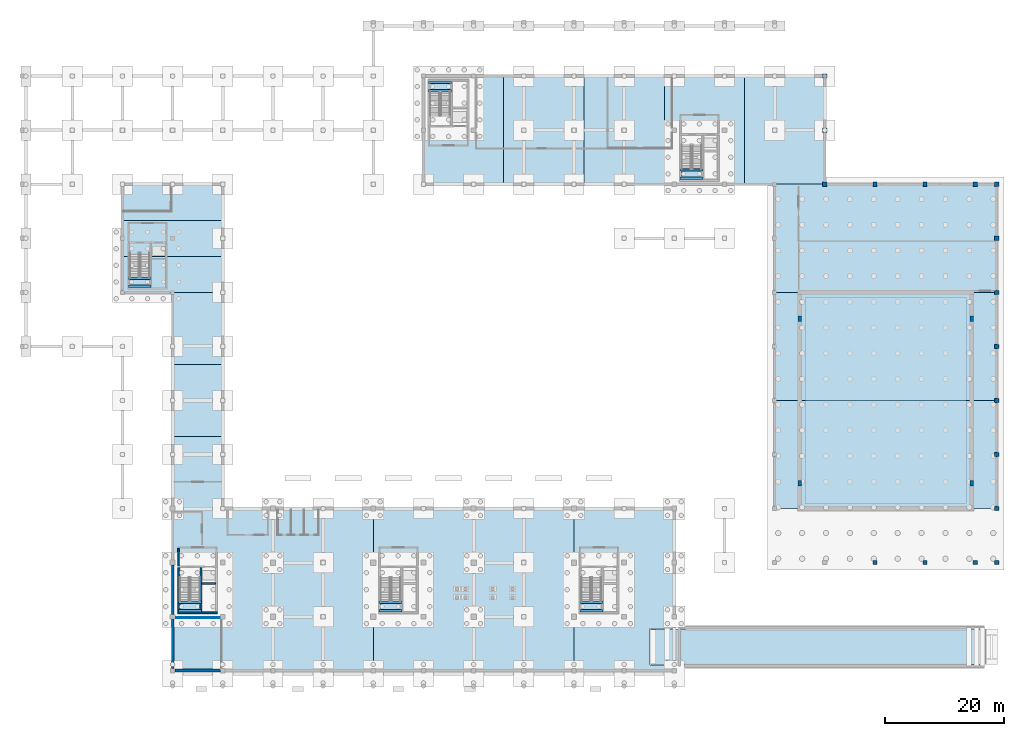
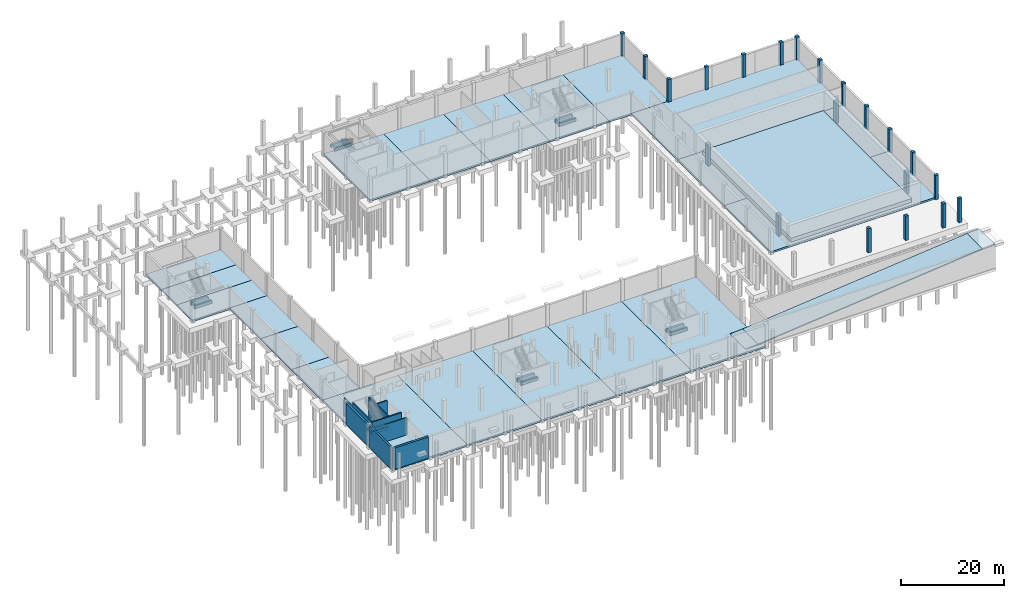
# One storey, part 6 of 18: 29 slabs, 21 columns, 12 beams, 9 walls, 6 elements without a shape of their own.
"""IFC4 building model written with IfcOpenShell, lengths in metres."""

import ifcopenshell
import ifcopenshell.guid

model = None  # the IFC model being written
_history = None  # IfcOwnerHistory: only IFC2X3 demands one
_inside = {}  # id of a spatial element -> (the spatial element, [elements in it])
_under = {}  # id of a project, library or spatial element -> (it, [spatial elements below it])
_declared = {}  # id of a project -> (the project, [libraries it declares])
_typed = {}  # id of a type object -> (the type object, [elements of that type])
_made_of = {}  # id of a material, layer set ... -> (it, [elements and type objects made of it])


def new_model(schema):
    """Start an empty IFC model of exactly this schema.

    Asked for "IFC4X3", IfcOpenShell would pick the latest addendum, in which some entities
    have other attributes; the version numbers below select the first issue.
    IFC2X3 requires an IfcOwnerHistory on every rooted entity: one is made here for all.
    """
    global model, _history
    if schema == "IFC4X3":
        model = ifcopenshell.file(schema_version=(4, 3, 0, 0))
    else:
        model = ifcopenshell.file(schema=schema)
    _inside.clear()
    _under.clear()
    _declared.clear()
    _typed.clear()
    _made_of.clear()
    _history = None
    if model.schema == "IFC2X3":
        org = make("IfcOrganization", Name="unknown")
        user = make(
            "IfcPersonAndOrganization",
            ThePerson=make("IfcPerson", FamilyName="unknown"),
            TheOrganization=org,
        )
        app = make(
            "IfcApplication",
            ApplicationDeveloper=org,
            Version="unknown",
            ApplicationFullName="unknown",
            ApplicationIdentifier="unknown",
        )
        _history = make(
            "IfcOwnerHistory",
            OwningUser=user,
            OwningApplication=app,
            ChangeAction="ADDED",
            CreationDate=0,
        )
    return model


def make(cls, **values):
    """One entity of the class cls with the attributes given. An attribute that is None is left unset."""
    return model.create_entity(
        cls, **{name: value for name, value in values.items() if value is not None}
    )


def rooted(cls, **values):
    """An entity with a GlobalId (a new one), such as an element, a storey or a relation."""
    return make(cls, GlobalId=ifcopenshell.guid.new(), OwnerHistory=_history, **values)


def si_unit(unit_type, name, prefix=None):
    """IfcSIUnit, for example si_unit("LENGTHUNIT", "METRE", prefix="MILLI")."""
    return make("IfcSIUnit", UnitType=unit_type, Prefix=prefix, Name=name)


def assignment(units):
    """IfcUnitAssignment: the units of a project."""
    return None if units is None else make("IfcUnitAssignment", Units=units)


def point(xyz):
    """IfcCartesianPoint."""
    return None if xyz is None else make("IfcCartesianPoint", Coordinates=xyz)


def direction(xyz):
    """IfcDirection."""
    return None if xyz is None else make("IfcDirection", DirectionRatios=xyz)


def frame(location, z_axis=None, x_axis=None):
    """IfcAxis2Placement3D, a coordinate frame: its origin and axes. An axis left out is left unset."""
    return make(
        "IfcAxis2Placement3D",
        Location=point(location),
        Axis=direction(z_axis),
        RefDirection=direction(x_axis),
    )


def frame_2d(location, x_axis=None):
    """IfcAxis2Placement2D, a coordinate frame in the plane: its origin and x axis."""
    return make(
        "IfcAxis2Placement2D", Location=point(location), RefDirection=direction(x_axis)
    )


def origin():
    """The frame at (0, 0, 0) with its axes left unset."""
    return frame((0.0, 0.0, 0.0))


def origin_2d():
    """The frame at (0, 0) in the plane with its x axis left unset."""
    return frame_2d((0.0, 0.0))


def place(relative_to, where):
    """IfcLocalPlacement: puts the frame where relative to a parent placement (None: the world)."""
    return make(
        "IfcLocalPlacement", PlacementRelTo=relative_to, RelativePlacement=where
    )


def context(
    kind, dimensions, precision=None, world=None, true_north=None, identifier=None
):
    """IfcGeometricRepresentationContext, for example the 3D "Model" context."""
    return make(
        "IfcGeometricRepresentationContext",
        ContextIdentifier=identifier,
        ContextType=kind,
        CoordinateSpaceDimension=dimensions,
        Precision=precision,
        WorldCoordinateSystem=world,
        TrueNorth=true_north,
    )


def subcontext(parent, identifier, kind, view, scale=None):
    """IfcGeometricRepresentationSubContext, for example "Body" below "Model"."""
    return make(
        "IfcGeometricRepresentationSubContext",
        ContextIdentifier=identifier,
        ContextType=kind,
        ParentContext=parent,
        TargetScale=scale,
        TargetView=view,
    )


def project(units=None, contexts=None):
    """IfcProject with its units and contexts."""
    return rooted(
        "IfcProject",
        Name="project",
        RepresentationContexts=contexts,
        UnitsInContext=assignment(units),
    )


def spatial(cls, under=None, at=None, **own):
    """A site, building, storey or space (cls), placed at a placement, below another one or the project."""
    s = rooted(cls, ObjectPlacement=at, **own)
    if under is not None:
        _under.setdefault(under.id(), (under, []))[1].append(s)
    return s


def polyline(points):
    """IfcPolyline through the points."""
    return make("IfcPolyline", Points=[point(p) for p in points])


def profile(cls, at=None, kind="AREA", **sizes):
    """A parametric profile (cls). Its sizes go by their IFC names, for example OverallWidth=200.0."""
    return make(cls, ProfileType=kind, Position=at, **sizes)


def rectangle(**sizes):
    """IfcRectangleProfileDef."""
    return profile("IfcRectangleProfileDef", **sizes)


def outline(outer, holes=None, kind="AREA"):
    """IfcArbitraryClosedProfileDef: a profile drawn as a closed curve; with holes, ...WithVoids."""
    if holes is None:
        return make("IfcArbitraryClosedProfileDef", ProfileType=kind, OuterCurve=outer)
    return make(
        "IfcArbitraryProfileDefWithVoids",
        ProfileType=kind,
        OuterCurve=outer,
        InnerCurves=holes,
    )


def extrude(swept, where, along, depth):
    """IfcExtrudedAreaSolid: the profile swept, set in the frame where, extruded along a direction by depth."""
    return make(
        "IfcExtrudedAreaSolid",
        SweptArea=swept,
        Position=where,
        ExtrudedDirection=direction(along),
        Depth=depth,
    )


def shape(context_of_items, identifier, shape_type, items):
    """IfcShapeRepresentation: the items that make up one representation, for example the "Body"."""
    return make(
        "IfcShapeRepresentation",
        ContextOfItems=context_of_items,
        RepresentationIdentifier=identifier,
        RepresentationType=shape_type,
        Items=items,
    )


def material(Name=None, Category=None):
    """IfcMaterial."""
    return make("IfcMaterial", Name=Name, Category=Category)


def layer(
    of_material, thickness, ventilated=None, Name=None, Category=None, Priority=None
):
    """IfcMaterialLayer: one layer of a wall or slab, of a material (None: an air gap)."""
    return make(
        "IfcMaterialLayer",
        Material=of_material,
        LayerThickness=thickness,
        IsVentilated=ventilated,
        Name=Name,
        Category=Category,
        Priority=Priority,
    )


def layer_set(layers, Name=None):
    """IfcMaterialLayerSet."""
    return make("IfcMaterialLayerSet", MaterialLayers=layers, LayerSetName=Name)


def material_profile(
    of_material, cross_section, Name=None, Category=None, Priority=None
):
    """IfcMaterialProfile: a cross section and its material."""
    return make(
        "IfcMaterialProfile",
        Name=Name,
        Material=of_material,
        Profile=cross_section,
        Priority=Priority,
        Category=Category,
    )


def profile_set(profiles, Name=None, composite=None):
    """IfcMaterialProfileSet."""
    return make(
        "IfcMaterialProfileSet",
        Name=Name,
        MaterialProfiles=profiles,
        CompositeProfile=composite,
    )


def made_of(thing, what):
    """Note that an element or type object is made of a material, layer set ...; save() writes the relation."""
    if what is not None:
        _made_of.setdefault(what.id(), (what, []))[1].append(thing)
    return thing


def type_object(cls, material=None, **own):
    """A type object (cls), such as IfcWallType, which elements share."""
    return made_of(rooted(cls, **own), material)


def element(
    cls,
    number,
    at=None,
    inside=None,
    cuts=None,
    type_object=None,
    material=None,
    context=None,
    identifier="Body",
    shape_type=None,
    held_by="IfcProductDefinitionShape",
    body=None,
    shapes=None,
    **own,
):
    """One element of the class cls, such as IfcWall. Its Tag is "e" and its number.

    at: its placement. inside: the storey or other place that contains it. cuts: it is an
    opening in that element (IfcRelVoidsElement). A single representation is given by context,
    identifier, shape_type and body (its items); several are given by shapes. held_by: the class
    of the entity that holds the representations. save() writes the other relations.
    """
    e = rooted(cls, Tag="e%d" % number, ObjectPlacement=at, **own)
    if body is not None:
        shapes = [shape(context, identifier, shape_type, body)]
    if shapes is not None:
        e.Representation = make(held_by, Representations=shapes)
    if inside is not None:
        _inside.setdefault(inside.id(), (inside, []))[1].append(e)
    if cuts is not None:
        rooted(
            "IfcRelVoidsElement", RelatingBuildingElement=cuts, RelatedOpeningElement=e
        )
    if type_object is not None:
        _typed.setdefault(type_object.id(), (type_object, []))[1].append(e)
    return made_of(e, material)


def aggregate(whole, parts):
    """IfcRelAggregates: a whole, such as a stair, and the parts it consists of."""
    return rooted("IfcRelAggregates", RelatingObject=whole, RelatedObjects=parts)


def save(model, path):
    """Write the relations noted so far, then the file.

    IfcRelAggregates (storeys below a building ...), IfcRelContainedInSpatialStructure (elements
    in a storey), IfcRelDefinesByType, IfcRelAssociatesMaterial and IfcRelDeclares: one each for
    every whole, place, type object, material and project.
    """
    for whole, parts in _under.values():
        aggregate(whole, parts)
    for where, things in _inside.values():
        rooted(
            "IfcRelContainedInSpatialStructure",
            RelatedElements=things,
            RelatingStructure=where,
        )
    for kind, things in _typed.values():
        rooted("IfcRelDefinesByType", RelatedObjects=things, RelatingType=kind)
    for what, things in _made_of.values():
        rooted("IfcRelAssociatesMaterial", RelatedObjects=things, RelatingMaterial=what)
    for by, libraries in _declared.values():
        rooted("IfcRelDeclares", RelatingContext=by, RelatedDefinitions=libraries)
    model.write(path)


model = new_model("IFC4")

# Units and contexts
model_context = context("Model", 3, precision=1e-05, world=origin(), true_north=direction((0.0, 1.0)))
body_context = subcontext(model_context, "Body", "Model", "MODEL_VIEW")
ifc_project = project(units=[si_unit("LENGTHUNIT", "METRE"), si_unit("AREAUNIT", "SQUARE_METRE"), si_unit("VOLUMEUNIT", "CUBIC_METRE"), si_unit("PLANEANGLEUNIT", "RADIAN"), si_unit("MASSUNIT", "GRAM", prefix="KILO")], contexts=[model_context])

# Site, building, storey
site_placement = place(None, origin())
site = spatial("IfcSite", under=ifc_project, at=site_placement, CompositionType="ELEMENT")
building_placement = place(site_placement, origin())
building = spatial("IfcBuilding", under=site, at=building_placement, Name="Khurvash Pelagic Aquarium", CompositionType="ELEMENT")
storey_placement = place(building_placement, frame((0.0, 0.0, -5.39990234375)))
storey = spatial("IfcBuildingStorey", under=building, at=storey_placement, Name="B1", CompositionType="ELEMENT", Elevation=-5.39990234375)

# Columns
ifc_material_1 = material(Name="Concrete C40/50", Category="concrete")
ifc_material_profile_1 = material_profile(ifc_material_1, rectangle(XDim=0.699951171875, YDim=0.699951171875, at=origin_2d()), Name="RC700X700")
ifc_profile_set_1 = profile_set([ifc_material_profile_1], Name="Concrete C40/50")
column_type_1 = type_object("IfcColumnType", Name="C-07", PredefinedType="COLUMN", material=ifc_profile_set_1)
for number, where, z_axis, x_axis, name in (
    (1, (134.39990234375, 84.050048828125, -0.400146484375), (0.0, 0.0, 1.0), (1.0, 0.0, 0.0), "B1 Column C-07 at 17/L"),
    (2, (134.39990234375, 93.10009765625, -0.400146484375), (0.0, 0.0, 1.0), (1.0, 0.0, 0.0), "B1 Column C-07 at 17/M"),
    (3, (134.39990234375, 102.14990234375, -0.400146484375), (0.0, 0.0, 1.0), (1.0, 0.0, 0.0), "B1 Column C-07 at 17/N"),
    (4, (142.800048828125, 84.050048828125, -0.400146484375), (0.0, 0.0, 1.0), (1.0, 0.0, 0.0), "B1 Column C-07 at 18/L"),
    (5, (151.199951171875, 84.050048828125, -0.400146484375), (0.0, 0.0, 1.0), (1.0, 0.0, 0.0), "B1 Column C-07 at 19/L"),
    (6, (159.60009765625, 84.050048828125, -0.400146484375), (0.0, 0.0, 1.0), (1.0, 0.0, 0.0), "B1 Column C-07 at 20/L"),
    (7, (163.199951171875, 29.75, -0.400146484375), (0.0, 0.0, 1.0), (1.0, 0.0, 0.0), "B1 Column C-07 at 21/E"),
    (8, (163.199951171875, 38.800048828125, -0.400146484375), (0.0, 0.0, 1.0), (1.0, 0.0, 0.0), "B1 Column C-07 at 21/F"),
    (9, (163.199951171875, 47.85009765625, -0.400146484375), (0.0, 0.0, 1.0), (1.0, 0.0, 0.0), "B1 Column C-07 at 21/G"),
    (10, (163.199951171875, 56.89990234375, -0.400146484375), (0.0, 0.0, 1.0), (1.0, 0.0, 0.0), "B1 Column C-07 at 21/H"),
    (11, (163.199951171875, 65.949951171875, -0.400146484375), (0.0, 0.0, 1.0), (1.0, 0.0, 0.0), "B1 Column C-07 at 21/J"),
    (12, (163.199951171875, 75.0, -0.400146484375), (0.0, 0.0, 1.0), (1.0, 0.0, 0.0), "B1 Column C-07 at 21/K"),
    (13, (163.199951171875, 84.050048828125, -0.400146484375), (0.0, 0.0, 1.0), (1.0, 0.0, 0.0), "B1 Column C-07 at 21/L"),
    (14, (142.800048828125, 20.699951171875, -0.400146484375), (0.0, 0.0, 1.0), (1.0, 0.0, 0.0), "B1 Sub-Grade Pier Column C-07 at 18/D"),
    (15, (151.199951171875, 20.699951171875, -0.400146484375), (0.0, 0.0, 1.0), (1.0, 0.0, 0.0), "B1 Sub-Grade Pier Column C-07 at 19/D"),
    (16, (159.60009765625, 20.699951171875, -0.400146484375), (0.0, 0.0, 1.0), (1.0, 0.0, 0.0), "B1 Sub-Grade Pier Column C-07 at 20/D"),
    (17, (163.199951171875, 20.699951171875, -0.400146484375), (0.0, 0.0, 1.0), (1.0, 0.0, 0.0), "B1 Sub-Grade Pier Column C-07 at 21/D"),
):
    element("IfcColumn", number, at=place(storey_placement, frame(where, z_axis=z_axis, x_axis=x_axis)), inside=storey, type_object=column_type_1, Name=name, PredefinedType="COLUMN", context=body_context, shape_type="SweptSolid", body=[
        extrude(rectangle(XDim=0.699951171875, YDim=0.699951171875, at=origin_2d()), origin(), (0.0, 0.0, 1.0), 5.800048828125),
    ])
ifc_material_2 = material(Name="Water-retaining concrete C40/50", Category="concrete")
ifc_material_profile_2 = material_profile(ifc_material_2, rectangle(XDim=0.60009765625, YDim=0.89990234375, at=origin_2d()), Name="RC600X900")
ifc_profile_set_2 = profile_set([ifc_material_profile_2], Name="Water-retaining concrete C40/50")
column_type_2 = type_object("IfcColumnType", Name="PL-C1", PredefinedType="PILASTER", material=ifc_profile_set_2)
for number, where, z_axis, x_axis, name in (
    (18, (130.199951171875, 34.0, 0.0), (0.0, 0.0, 1.0), (1.0, 0.0, 0.0), "B1 Ocean Tank Engaged Pilaster PL-C1 001"),
    (19, (159.0, 34.0, 0.0), (0.0, 0.0, 1.0), (1.0, 0.0, 0.0), "B1 Ocean Tank Engaged Pilaster PL-C1 002"),
    (20, (130.199951171875, 61.5, 0.0), (0.0, 0.0, 1.0), (1.0, 0.0, 0.0), "B1 Ocean Tank Engaged Pilaster PL-C1 003"),
    (21, (159.0, 61.5, 0.0), (0.0, 0.0, 1.0), (1.0, 0.0, 0.0), "B1 Ocean Tank Engaged Pilaster PL-C1 004"),
):
    element("IfcColumn", number, at=place(storey_placement, frame(where, z_axis=z_axis, x_axis=x_axis)), inside=storey, type_object=column_type_2, Name=name, PredefinedType="PILASTER", context=body_context, shape_type="SweptSolid", body=[
        extrude(rectangle(XDim=0.60009765625, YDim=0.89990234375, at=origin_2d()), origin(), (0.0, 0.0, 1.0), 5.0),
    ])

# Beams
ifc_material_3 = material(Name="Concrete C35/45", Category="concrete")
ifc_material_profile_3 = material_profile(ifc_material_3, rectangle(XDim=0.39990234375, YDim=0.64990234375, at=origin_2d()), Name="RC400X650")
ifc_profile_set_3 = profile_set([ifc_material_profile_3], Name="Concrete C35/45")
beam_type = type_object("IfcBeamType", Name="BM-05", PredefinedType="BEAM", material=ifc_profile_set_3)
for number, where, z_axis, x_axis, name in (
    (22, (26.179931640625, 12.669921875, 2.1748046875), (1.0, 0.0, 0.0), (0.0, 1.0, 0.0), "B1 Stair ST-01 Mid-Landing Trimmer Beam BM-05"),
    (23, (26.179931640625, 14.0400390625, 2.1748046875), (1.0, 0.0, 0.0), (0.0, 1.0, 0.0), "B1 Stair ST-01 Mid-Landing Trimmer Beam BM-05"),
    (24, (59.780029296875, 12.669921875, 2.1748046875), (1.0, 0.0, 0.0), (0.0, 1.0, 0.0), "B1 Stair ST-02 Mid-Landing Trimmer Beam BM-05"),
    (25, (59.780029296875, 14.0400390625, 2.1748046875), (1.0, 0.0, 0.0), (0.0, 1.0, 0.0), "B1 Stair ST-02 Mid-Landing Trimmer Beam BM-05"),
    (26, (93.3798828125, 12.669921875, 2.1748046875), (1.0, 0.0, 0.0), (0.0, 1.0, 0.0), "B1 Stair ST-03 Mid-Landing Trimmer Beam BM-05"),
    (27, (93.3798828125, 14.0400390625, 2.1748046875), (1.0, 0.0, 0.0), (0.0, 1.0, 0.0), "B1 Stair ST-03 Mid-Landing Trimmer Beam BM-05"),
):
    element("IfcBeam", number, at=place(storey_placement, frame(where, z_axis=z_axis, x_axis=x_axis)), inside=storey, type_object=beam_type, Name=name, PredefinedType="BEAM", context=body_context, shape_type="SweptSolid", body=[
        extrude(rectangle(XDim=0.39990234375, YDim=0.64990234375, at=origin_2d()), origin(), (0.0, 0.0, 1.0), 3.840087890625),
    ])
for number, where, z_axis, x_axis, name in (
    (28, (68.080078125, 99.7099609375, 2.1748046875), (1.0, 0.0, 0.0), (0.0, 1.0, 0.0), "B1 Stair ST-04 Mid-Landing Trimmer Beam BM-05"),
    (29, (68.080078125, 101.080078125, 2.1748046875), (1.0, 0.0, 0.0), (0.0, 1.0, 0.0), "B1 Stair ST-04 Mid-Landing Trimmer Beam BM-05"),
):
    element("IfcBeam", number, at=place(storey_placement, frame(where, z_axis=z_axis, x_axis=x_axis)), inside=storey, type_object=beam_type, Name=name, PredefinedType="BEAM", context=body_context, shape_type="SweptSolid", body=[
        extrude(rectangle(XDim=0.39990234375, YDim=0.64990234375, at=origin_2d()), origin(), (0.0, 0.0, 1.0), 3.83984375),
    ])
for number, where, z_axis, x_axis, name in (
    (30, (17.780029296875, 66.969970703125, 2.1748046875), (1.0, 0.0, 0.0), (0.0, 1.0, 0.0), "B1 Stair ST-05 Mid-Landing Trimmer Beam BM-05"),
    (31, (17.780029296875, 68.340087890625, 2.1748046875), (1.0, 0.0, 0.0), (0.0, 1.0, 0.0), "B1 Stair ST-05 Mid-Landing Trimmer Beam BM-05"),
    (32, (110.179931640625, 85.070068359375, 2.1748046875), (1.0, 0.0, 0.0), (0.0, 1.0, 0.0), "B1 Stair ST-06 Mid-Landing Trimmer Beam BM-05"),
    (33, (110.179931640625, 86.43994140625, 2.1748046875), (1.0, 0.0, 0.0), (0.0, 1.0, 0.0), "B1 Stair ST-06 Mid-Landing Trimmer Beam BM-05"),
):
    element("IfcBeam", number, at=place(storey_placement, frame(where, z_axis=z_axis, x_axis=x_axis)), inside=storey, type_object=beam_type, Name=name, PredefinedType="BEAM", context=body_context, shape_type="SweptSolid", body=[
        extrude(rectangle(XDim=0.39990234375, YDim=0.64990234375, at=origin_2d()), origin(), (0.0, 0.0, 1.0), 3.840087890625),
    ])

# Slabs
ifc_layer_1 = layer(ifc_material_3, 0.39990234375)
ifc_layer_set_1 = layer_set([ifc_layer_1], Name="Concrete C35/45")
slab_type_1 = type_object("IfcSlabType", Name="BS-400", PredefinedType="BASESLAB", material=ifc_layer_set_1)
slab_1_placement = place(storey_placement, frame((0.0, 0.0, -0.400146484375)))
element("IfcSlab", 34, at=slab_1_placement, inside=storey, type_object=slab_type_1, Name="B1 Structural Floor Slab BS-400 V6_PARK.1", PredefinedType="BASESLAB", context=body_context, shape_type="SweptSolid", body=[
    extrude(outline(polyline([(42.0, 2.60009765625), (42.0, 29.75), (25.199951171875, 29.75), (25.199951171875, 2.60009765625), (42.0, 2.60009765625)])), origin(), (0.0, 0.0, 1.0), 0.400146484375),
])
slab_2_placement = place(storey_placement, frame((0.0, 0.0, -0.400146484375)))
element("IfcSlab", 35, at=slab_2_placement, inside=storey, type_object=slab_type_1, Name="B1 Structural Floor Slab BS-400 V6_PARK.2", PredefinedType="BASESLAB", context=body_context, shape_type="SweptSolid", body=[
    extrude(outline(polyline([(42.0, 29.75), (42.0, 2.60009765625), (58.800048828125, 2.60009765625), (58.800048828125, 29.75), (42.0, 29.75)])), origin(), (0.0, 0.0, 1.0), 0.400146484375),
])
slab_3_placement = place(storey_placement, frame((0.0, 0.0, -0.400146484375)))
element("IfcSlab", 36, at=slab_3_placement, inside=storey, type_object=slab_type_1, Name="B1 Structural Floor Slab BS-400 V6_PARK.3", PredefinedType="BASESLAB", context=body_context, shape_type="SweptSolid", body=[
    extrude(outline(polyline([(58.800048828125, 29.75), (58.800048828125, 2.60009765625), (75.60009765625, 2.60009765625), (75.60009765625, 29.75), (58.800048828125, 29.75)])), origin(), (0.0, 0.0, 1.0), 0.400146484375),
])
slab_4_placement = place(storey_placement, frame((0.0, 0.0, -0.400146484375)))
element("IfcSlab", 37, at=slab_4_placement, inside=storey, type_object=slab_type_1, Name="B1 Structural Floor Slab BS-400 V6_PARK.4", PredefinedType="BASESLAB", context=body_context, shape_type="SweptSolid", body=[
    extrude(outline(polyline([(75.60009765625, 29.75), (75.60009765625, 2.60009765625), (92.39990234375, 2.60009765625), (92.39990234375, 29.75), (75.60009765625, 29.75)])), origin(), (0.0, 0.0, 1.0), 0.400146484375),
])
slab_5_placement = place(storey_placement, frame((0.0, 0.0, -0.400146484375)))
element("IfcSlab", 38, at=slab_5_placement, inside=storey, type_object=slab_type_1, Name="B1 Structural Floor Slab BS-400 V6_PARK.5", PredefinedType="BASESLAB", context=body_context, shape_type="SweptSolid", body=[
    extrude(outline(polyline([(109.199951171875, 29.75), (92.39990234375, 29.75), (92.39990234375, 2.60009765625), (109.199951171875, 2.60009765625), (109.199951171875, 3.550048828125), (105.14990234375, 3.550048828125), (105.14990234375, 9.64990234375), (109.199951171875, 9.64990234375), (109.199951171875, 29.75)])), origin(), (0.0, 0.0, 1.0), 0.400146484375),
])
slab_6_placement = place(storey_placement, frame((0.0, 0.0, -0.400146484375)))
element("IfcSlab", 39, at=slab_6_placement, inside=storey, type_object=slab_type_1, Name="B1 Structural Floor Slab BS-400 V6_WLINK.1", PredefinedType="BASESLAB", context=body_context, shape_type="SweptSolid", body=[
    extrude(outline(polyline([(33.60009765625, 65.949951171875), (33.60009765625, 71.98291015625), (16.800048828125, 71.98291015625), (16.800048828125, 65.949951171875), (33.60009765625, 65.949951171875)])), origin(), (0.0, 0.0, 1.0), 0.400146484375),
])
slab_7_placement = place(storey_placement, frame((0.0, 0.0, -0.400146484375)))
element("IfcSlab", 40, at=slab_7_placement, inside=storey, type_object=slab_type_1, Name="B1 Structural Floor Slab BS-400 V6_WLINK.2", PredefinedType="BASESLAB", context=body_context, shape_type="SweptSolid", body=[
    extrude(outline(polyline([(16.800048828125, 71.98291015625), (33.60009765625, 71.98291015625), (33.60009765625, 78.01708984375), (16.800048828125, 78.01708984375), (16.800048828125, 71.98291015625)])), origin(), (0.0, 0.0, 1.0), 0.400146484375),
])
slab_8_placement = place(storey_placement, frame((0.0, 0.0, -0.400146484375)))
element("IfcSlab", 41, at=slab_8_placement, inside=storey, type_object=slab_type_1, Name="B1 Structural Floor Slab BS-400 V6_WLINK.3", PredefinedType="BASESLAB", context=body_context, shape_type="SweptSolid", body=[
    extrude(outline(polyline([(16.800048828125, 78.01708984375), (33.60009765625, 78.01708984375), (33.60009765625, 84.050048828125), (16.800048828125, 84.050048828125), (16.800048828125, 78.01708984375)])), origin(), (0.0, 0.0, 1.0), 0.400146484375),
])
slab_9_placement = place(storey_placement, frame((0.0, 0.0, -0.400146484375)))
element("IfcSlab", 42, at=slab_9_placement, inside=storey, type_object=slab_type_1, Name="B1 Structural Floor Slab BS-400 V6_WTUN.1", PredefinedType="BASESLAB", context=body_context, shape_type="SweptSolid", body=[
    extrude(outline(polyline([(25.199951171875, 29.75), (33.60009765625, 29.75), (33.60009765625, 41.81689453125), (25.199951171875, 41.81689453125), (25.199951171875, 29.75)])), origin(), (0.0, 0.0, 1.0), 0.400146484375),
])
slab_10_placement = place(storey_placement, frame((0.0, 0.0, -0.400146484375)))
element("IfcSlab", 43, at=slab_10_placement, inside=storey, type_object=slab_type_1, Name="B1 Structural Floor Slab BS-400 V6_WTUN.2", PredefinedType="BASESLAB", context=body_context, shape_type="SweptSolid", body=[
    extrude(outline(polyline([(25.199951171875, 41.81689453125), (33.60009765625, 41.81689453125), (33.60009765625, 53.883056640625), (25.199951171875, 53.883056640625), (25.199951171875, 41.81689453125)])), origin(), (0.0, 0.0, 1.0), 0.400146484375),
])
slab_11_placement = place(storey_placement, frame((0.0, 0.0, -0.400146484375)))
element("IfcSlab", 44, at=slab_11_placement, inside=storey, type_object=slab_type_1, Name="B1 Structural Floor Slab BS-400 V6_WTUN.3", PredefinedType="BASESLAB", context=body_context, shape_type="SweptSolid", body=[
    extrude(outline(polyline([(33.60009765625, 65.949951171875), (25.199951171875, 65.949951171875), (25.199951171875, 53.883056640625), (33.60009765625, 53.883056640625), (33.60009765625, 65.949951171875)])), origin(), (0.0, 0.0, 1.0), 0.400146484375),
])
slab_12_placement = place(storey_placement, frame((0.0, 0.0, -0.400146484375)))
element("IfcSlab", 45, at=slab_12_placement, inside=storey, type_object=slab_type_1, Name="B1 Structural Floor Slab BS-400 V6_NPLANT.1", PredefinedType="BASESLAB", context=body_context, shape_type="SweptSolid", body=[
    extrude(outline(polyline([(80.639892578125, 84.050048828125), (80.639892578125, 102.14990234375), (67.199951171875, 102.14990234375), (67.199951171875, 84.050048828125), (80.639892578125, 84.050048828125)])), origin(), (0.0, 0.0, 1.0), 0.400146484375),
])
slab_13_placement = place(storey_placement, frame((0.0, 0.0, -0.400146484375)))
element("IfcSlab", 46, at=slab_13_placement, inside=storey, type_object=slab_type_1, Name="B1 Structural Floor Slab BS-400 V6_NPLANT.2", PredefinedType="BASESLAB", context=body_context, shape_type="SweptSolid", body=[
    extrude(outline(polyline([(80.639892578125, 102.14990234375), (80.639892578125, 84.050048828125), (94.080078125, 84.050048828125), (94.080078125, 102.14990234375), (80.639892578125, 102.14990234375)])), origin(), (0.0, 0.0, 1.0), 0.400146484375),
])
slab_14_placement = place(storey_placement, frame((0.0, 0.0, -0.400146484375)))
element("IfcSlab", 47, at=slab_14_placement, inside=storey, type_object=slab_type_1, Name="B1 Structural Floor Slab BS-400 V6_NPLANT.3", PredefinedType="BASESLAB", context=body_context, shape_type="SweptSolid", body=[
    extrude(outline(polyline([(94.080078125, 102.14990234375), (94.080078125, 84.050048828125), (107.52001953125, 84.050048828125), (107.52001953125, 102.14990234375), (94.080078125, 102.14990234375)])), origin(), (0.0, 0.0, 1.0), 0.400146484375),
])
slab_15_placement = place(storey_placement, frame((0.0, 0.0, -0.400146484375)))
element("IfcSlab", 48, at=slab_15_placement, inside=storey, type_object=slab_type_1, Name="B1 Structural Floor Slab BS-400 V6_NPLANT.4", PredefinedType="BASESLAB", context=body_context, shape_type="SweptSolid", body=[
    extrude(outline(polyline([(107.52001953125, 102.14990234375), (107.52001953125, 84.050048828125), (120.9599609375, 84.050048828125), (120.9599609375, 102.14990234375), (107.52001953125, 102.14990234375)])), origin(), (0.0, 0.0, 1.0), 0.400146484375),
])
slab_16_placement = place(storey_placement, frame((0.0, 0.0, -0.400146484375)))
element("IfcSlab", 49, at=slab_16_placement, inside=storey, type_object=slab_type_1, Name="B1 Structural Floor Slab BS-400 V6_NPLANT.5", PredefinedType="BASESLAB", context=body_context, shape_type="SweptSolid", body=[
    extrude(outline(polyline([(120.9599609375, 102.14990234375), (120.9599609375, 84.050048828125), (134.39990234375, 84.050048828125), (134.39990234375, 102.14990234375), (120.9599609375, 102.14990234375)])), origin(), (0.0, 0.0, 1.0), 0.400146484375),
])
slab_17_placement = place(storey_placement, frame((0.0, 0.0, -0.400146484375)))
element("IfcSlab", 50, at=slab_17_placement, inside=storey, type_object=slab_type_1, Name="B1 Structural Floor Slab BS-400 V6_LSS.1", PredefinedType="BASESLAB", context=body_context, shape_type="SweptSolid", body=[
    extrude(outline(polyline([(163.199951171875, 29.75), (163.199951171875, 47.85009765625), (126.0, 47.85009765625), (126.0, 29.75), (163.199951171875, 29.75)])), origin(), (0.0, 0.0, 1.0), 0.400146484375),
])
slab_18_placement = place(storey_placement, frame((0.0, 0.0, -0.400146484375)))
element("IfcSlab", 51, at=slab_18_placement, inside=storey, type_object=slab_type_1, Name="B1 Structural Floor Slab BS-400 V6_LSS.2", PredefinedType="BASESLAB", context=body_context, shape_type="SweptSolid", body=[
    extrude(outline(polyline([(126.0, 47.85009765625), (163.199951171875, 47.85009765625), (163.199951171875, 65.949951171875), (126.0, 65.949951171875), (126.0, 47.85009765625)])), origin(), (0.0, 0.0, 1.0), 0.400146484375),
])
slab_19_placement = place(storey_placement, frame((0.0, 0.0, -0.400146484375)))
element("IfcSlab", 52, at=slab_19_placement, inside=storey, type_object=slab_type_1, Name="B1 Structural Floor Slab BS-400 V6_LSS.3", PredefinedType="BASESLAB", context=body_context, shape_type="SweptSolid", body=[
    extrude(outline(polyline([(134.39990234375, 84.050048828125), (126.0, 84.050048828125), (126.0, 65.949951171875), (163.199951171875, 65.949951171875), (163.199951171875, 84.050048828125), (134.39990234375, 84.050048828125)])), origin(), (0.0, 0.0, 1.0), 0.400146484375),
])
ifc_layer_2 = layer(ifc_material_2, 0.89990234375)
ifc_layer_set_2 = layer_set([ifc_layer_2], Name="Water-retaining concrete C40/50")
slab_type_2 = type_object("IfcSlabType", Name="BS-900", PredefinedType="BASESLAB", material=ifc_layer_set_2)
slab_20_placement = place(storey_placement, origin())
element("IfcSlab", 53, at=slab_20_placement, inside=storey, type_object=slab_type_2, Name="B1 Ocean Tank Waterproofed Containment Mat BS-900", PredefinedType="BASESLAB", context=body_context, shape_type="SweptSolid", body=[
    extrude(outline(polyline([(131.050048828125, 30.60009765625), (158.14990234375, 30.60009765625), (158.14990234375, 65.10009765625), (131.050048828125, 65.10009765625), (131.050048828125, 30.60009765625)])), origin(), (0.0, 0.0, 1.0), 0.89990234375),
])
ifc_layer_3 = layer(ifc_material_3, 0.25)
ifc_layer_set_3 = layer_set([ifc_layer_3], Name="Concrete C35/45")
slab_type_3 = type_object("IfcSlabType", Name="FS-250", PredefinedType="FLOOR", material=ifc_layer_set_3)
slab_21_placement = place(storey_placement, frame((105.199951171875, 3.60009765625, 0.0), z_axis=(-0.062405569641, 0.0, 0.998050872891), x_axis=(0.998050872891, 0.0, 0.062405569641)))
element("IfcSlab", 54, at=slab_21_placement, inside=storey, type_object=slab_type_3, Name="Basement Car Park Vehicle Ramp R-VEH-01 Structural Slab 1", PredefinedType="FLOOR", context=body_context, shape_type="SweptSolid", body=[
    extrude(outline(polyline([(0.0, 0.0), (2.7854585095679174, 0.0), (2.7854585095679174, 6.000000000000002), (0.0, 6.000000000000002), (0.0, 0.0)])), origin(), (0.0, 0.0, -1.0), 0.25),
])
slab_22_placement = place(storey_placement, frame((108.0, 3.60009765625, 0.1748046875), z_axis=(-0.09950610186, 0.0, 0.995036951923), x_axis=(0.995036951923, 0.0, 0.09950610186)))
element("IfcSlab", 55, at=slab_22_placement, inside=storey, type_object=slab_type_3, Name="Basement Car Park Vehicle Ramp R-VEH-01 Structural Slab 2", PredefinedType="FLOOR", context=body_context, shape_type="SweptSolid", body=[
    extrude(outline(polyline([(0.0, 0.0), (50.72170496339767, 0.0), (50.72170496339767, 6.0), (0.0, 6.0), (0.0, 0.0)])), origin(), (0.0, 0.0, -1.0), 0.25),
])
slab_23_placement = place(storey_placement, frame((158.5, 3.60009765625, 5.224853515625), z_axis=(-0.062492875854, 0.0, 0.998045410023), x_axis=(0.998045410023, 0.0, 0.062492875854)))
element("IfcSlab", 56, at=slab_23_placement, inside=storey, type_object=slab_type_3, Name="Basement Car Park Vehicle Ramp R-VEH-01 Structural Slab 3", PredefinedType="FLOOR", context=body_context, shape_type="SweptSolid", body=[
    extrude(outline(polyline([(0.0, 0.0), (2.7854737559602185, 0.0), (2.7854737559602185, 6.000000000000002), (0.0, 6.000000000000002), (0.0, 0.0)])), origin(), (0.0, 0.0, -1.0), 0.25),
])

# Stair, slab
stair_type_1 = type_object("IfcStairType", Name="ST-01", PredefinedType="HALF_TURN_STAIR", material=ifc_material_3)
stair_1_placement = place(storey_placement, origin())
stair_1 = element("IfcStair", 57, at=stair_1_placement, inside=storey, type_object=stair_type_1, Name="B1 Protected Exit Stair ST-01", PredefinedType="HALF_TURN_STAIR")
ifc_layer_4 = layer(ifc_material_3, 0.199951171875)
ifc_layer_set_4 = layer_set([ifc_layer_4], Name="Concrete C35/45")
slab_type_4 = type_object("IfcSlabType", Name="SL-LND-200", PredefinedType="LANDING", material=ifc_layer_set_4)
slab_24_placement = place(storey_placement, frame((0.0, 0.0, 2.5)))
slab_24 = element("IfcSlab", 58, at=slab_24_placement, type_object=slab_type_4, Name="ST-01 landing 1", PredefinedType="LANDING", context=body_context, shape_type="SweptSolid", body=[
    extrude(outline(polyline([(26.39990234375, 14.260009765625), (26.39990234375, 12.449951171875), (29.800048828125, 12.449951171875), (29.800048828125, 14.260009765625), (26.39990234375, 14.260009765625)])), origin(), (0.0, 0.0, 1.0), 0.199951171875),
])
aggregate(stair_1, [slab_24])

stair_type_2 = type_object("IfcStairType", Name="ST-02", PredefinedType="HALF_TURN_STAIR", material=ifc_material_3)
stair_2_placement = place(storey_placement, origin())
stair_2 = element("IfcStair", 59, at=stair_2_placement, inside=storey, type_object=stair_type_2, Name="B1 Protected Exit Stair ST-02", PredefinedType="HALF_TURN_STAIR")
slab_25_placement = place(storey_placement, frame((0.0, 0.0, 2.5)))
slab_25 = element("IfcSlab", 60, at=slab_25_placement, type_object=slab_type_4, Name="ST-02 landing 1", PredefinedType="LANDING", context=body_context, shape_type="SweptSolid", body=[
    extrude(outline(polyline([(60.0, 14.260009765625), (60.0, 12.449951171875), (63.39990234375, 12.449951171875), (63.39990234375, 14.260009765625), (60.0, 14.260009765625)])), origin(), (0.0, 0.0, 1.0), 0.199951171875),
])
aggregate(stair_2, [slab_25])

stair_type_3 = type_object("IfcStairType", Name="ST-03", PredefinedType="HALF_TURN_STAIR", material=ifc_material_3)
stair_3_placement = place(storey_placement, origin())
stair_3 = element("IfcStair", 61, at=stair_3_placement, inside=storey, type_object=stair_type_3, Name="B1 Protected Exit Stair ST-03", PredefinedType="HALF_TURN_STAIR")
slab_26_placement = place(storey_placement, frame((0.0, 0.0, 2.5)))
slab_26 = element("IfcSlab", 62, at=slab_26_placement, type_object=slab_type_4, Name="ST-03 landing 1", PredefinedType="LANDING", context=body_context, shape_type="SweptSolid", body=[
    extrude(outline(polyline([(93.60009765625, 14.260009765625), (93.60009765625, 12.449951171875), (97.0, 12.449951171875), (97.0, 14.260009765625), (93.60009765625, 14.260009765625)])), origin(), (0.0, 0.0, 1.0), 0.199951171875),
])
aggregate(stair_3, [slab_26])

stair_type_4 = type_object("IfcStairType", Name="ST-04", PredefinedType="HALF_TURN_STAIR", material=ifc_material_3)
stair_4_placement = place(storey_placement, origin())
stair_4 = element("IfcStair", 63, at=stair_4_placement, inside=storey, type_object=stair_type_4, Name="B1 Protected Exit Stair ST-04", PredefinedType="HALF_TURN_STAIR")
slab_27_placement = place(storey_placement, frame((0.0, 0.0, 2.5)))
slab_27 = element("IfcSlab", 64, at=slab_27_placement, type_object=slab_type_4, Name="ST-04 landing 1", PredefinedType="LANDING", context=body_context, shape_type="SweptSolid", body=[
    extrude(outline(polyline([(71.699951171875, 99.489990234375), (71.699951171875, 101.300048828125), (68.300048828125, 101.300048828125), (68.300048828125, 99.489990234375), (71.699951171875, 99.489990234375)])), origin(), (0.0, 0.0, 1.0), 0.199951171875),
])
aggregate(stair_4, [slab_27])

stair_type_5 = type_object("IfcStairType", Name="ST-05", PredefinedType="HALF_TURN_STAIR", material=ifc_material_3)
stair_5_placement = place(storey_placement, origin())
stair_5 = element("IfcStair", 65, at=stair_5_placement, inside=storey, type_object=stair_type_5, Name="B1 Protected Exit Stair ST-05", PredefinedType="HALF_TURN_STAIR")
slab_28_placement = place(storey_placement, frame((0.0, 0.0, 2.5)))
slab_28 = element("IfcSlab", 66, at=slab_28_placement, type_object=slab_type_4, Name="ST-05 landing 1", PredefinedType="LANDING", context=body_context, shape_type="SweptSolid", body=[
    extrude(outline(polyline([(18.0, 68.56005859375), (18.0, 66.75), (21.39990234375, 66.75), (21.39990234375, 68.56005859375), (18.0, 68.56005859375)])), origin(), (0.0, 0.0, 1.0), 0.199951171875),
])
aggregate(stair_5, [slab_28])

stair_type_6 = type_object("IfcStairType", Name="ST-06", PredefinedType="HALF_TURN_STAIR", material=ifc_material_3)
stair_6_placement = place(storey_placement, origin())
stair_6 = element("IfcStair", 67, at=stair_6_placement, inside=storey, type_object=stair_type_6, Name="B1 Protected Exit Stair ST-06", PredefinedType="HALF_TURN_STAIR")
slab_29_placement = place(storey_placement, frame((0.0, 0.0, 2.5)))
slab_29 = element("IfcSlab", 68, at=slab_29_placement, type_object=slab_type_4, Name="ST-06 landing 1", PredefinedType="LANDING", context=body_context, shape_type="SweptSolid", body=[
    extrude(outline(polyline([(110.39990234375, 86.659912109375), (110.39990234375, 84.85009765625), (113.800048828125, 84.85009765625), (113.800048828125, 86.659912109375), (110.39990234375, 86.659912109375)])), origin(), (0.0, 0.0, 1.0), 0.199951171875),
])
aggregate(stair_6, [slab_29])

# Walls
ifc_material_4 = material(Name="Moisture-resistant gypsum and steel stud", Category="steel")
ifc_layer_5 = layer(ifc_material_4, 0.139892578125)
ifc_layer_set_5 = layer_set([ifc_layer_5], Name="Moisture-resistant gypsum and steel stud")
wall_type_1 = type_object("IfcWallType", Name="PW-140", PredefinedType="PARTITIONING", material=ifc_layer_set_5)
wall_1_placement = place(storey_placement, frame((25.330078125, 11.449951171875, 0.0), z_axis=(0.0, 0.0, 1.0), x_axis=(1.0, 0.0, 0.0)))
element("IfcWall", 69, at=wall_1_placement, inside=storey, type_object=wall_type_1, Name="B1 Substation and Switchgear Plant Partition Wall PW-140", PredefinedType="PARTITIONING", context=body_context, shape_type="SweptSolid", body=[
    extrude(rectangle(XDim=8.139892578125, YDim=0.139892578125, at=frame_2d((4.06982421875, 0.0))), origin(), (0.0, 0.0, 1.0), 4.1298828125),
])
ifc_material_5 = material(Name="AAC blockwork", Category="masonry")
ifc_layer_6 = layer(ifc_material_5, 0.25)
ifc_layer_set_6 = layer_set([ifc_layer_6], Name="AAC blockwork")
wall_type_2 = type_object("IfcWallType", Name="PW-250", PredefinedType="PARTITIONING", material=ifc_layer_set_6)
wall_2_placement = place(storey_placement, frame((26.22509765625, 20.14990234375, 0.0), z_axis=(0.0, 0.0, 1.0), x_axis=(0.0, 1.0, 0.0)))
element("IfcWall", 70, at=wall_2_placement, inside=storey, type_object=wall_type_2, Name="B1 Core C1 Lobby West Fire Wall PW-250", PredefinedType="PARTITIONING", context=body_context, shape_type="SweptSolid", body=[
    extrude(rectangle(XDim=2.9501953125, YDim=0.25, at=frame_2d((1.47509765625, 0.0))), origin(), (0.0, 0.0, 1.0), 4.22998046875),
])
ifc_layer_7 = layer(ifc_material_1, 0.449951171875)
ifc_layer_set_7 = layer_set([ifc_layer_7], Name="Concrete C40/50")
wall_type_3 = type_object("IfcWallType", Name="RW-450", PredefinedType="USERDEFINED", material=ifc_layer_set_7)
for number, where, z_axis, x_axis, name in (
    (71, (25.199951171875, 3.0, 0.0), (0.0, 0.0, 1.0), (0.0, 1.0, 0.0), "B1 Perimeter Waterproofed Retaining Wall RW-450"),
    (72, (25.199951171875, 12.050048828125, 0.0), (0.0, 0.0, 1.0), (0.0, 1.0, 0.0), "B1 Perimeter Waterproofed Retaining Wall RW-450"),
):
    element("IfcWall", number, at=place(storey_placement, frame(where, z_axis=z_axis, x_axis=x_axis)), inside=storey, type_object=wall_type_3, Name=name, ObjectType="RETAINING WALL", PredefinedType="USERDEFINED", context=body_context, shape_type="SweptSolid", body=[
        extrude(rectangle(XDim=8.25, YDim=0.449951171875, at=frame_2d((4.125, 0.0))), origin(), (0.0, 0.0, 1.0), 5.079833984375),
    ])
ifc_layer_8 = layer(ifc_material_2, 0.5)
ifc_layer_set_8 = layer_set([ifc_layer_8], Name="Water-retaining concrete C40/50")
wall_type_4 = type_object("IfcWallType", Name="RW-500", PredefinedType="USERDEFINED", material=ifc_layer_set_8)
wall_3_placement = place(storey_placement, frame((33.199951171875, 2.60009765625, 0.0), z_axis=(0.0, 0.0, 1.0), x_axis=(-1.0, 0.0, 0.0)))
element("IfcWall", 73, at=wall_3_placement, inside=storey, type_object=wall_type_4, Name="B1 Perimeter Waterproofed Retaining Wall RW-500", ObjectType="RETAINING WALL", PredefinedType="USERDEFINED", context=body_context, shape_type="SweptSolid", body=[
    extrude(rectangle(XDim=7.599853515625, YDim=0.5, at=frame_2d((3.7998046875, 0.0))), origin(), (0.0, 0.0, 1.0), 5.079833984375),
])
ifc_layer_9 = layer(ifc_material_1, 0.27490234375)
ifc_layer_set_9 = layer_set([ifc_layer_9], Name="Concrete C40/50")
wall_type_5 = type_object("IfcWallType", Name="SW-275", PredefinedType="SHEAR", material=ifc_layer_set_9)
wall_4_placement = place(storey_placement, frame((30.10009765625, 17.212890625, 0.0), z_axis=(0.0, 0.0, 1.0), x_axis=(1.0, 0.0, 0.0)))
element("IfcWall", 74, at=wall_4_placement, inside=storey, type_object=wall_type_5, Name="B1 Lift FL-01 Shaft Rear Shear Wall SW-275", PredefinedType="SHEAR", context=body_context, shape_type="SweptSolid", body=[
    extrude(rectangle(XDim=2.2998046875, YDim=0.27490234375, at=frame_2d((1.14990234375, 0.0))), origin(), (0.0, 0.0, 1.0), 5.079833984375),
])
ifc_layer_10 = layer(ifc_material_1, 0.300048828125)
ifc_layer_set_10 = layer_set([ifc_layer_10], Name="Concrete C40/50")
wall_type_6 = type_object("IfcWallType", Name="SW-300", PredefinedType="SHEAR", material=ifc_layer_set_10)
wall_5_placement = place(storey_placement, frame((26.10009765625, 12.300048828125, 0.0), z_axis=(0.0, 0.0, 1.0), x_axis=(1.0, 0.0, 0.0)))
element("IfcWall", 75, at=wall_5_placement, inside=storey, type_object=wall_type_6, Name="B1 Core C1 South Shear Wall SW-300", PredefinedType="SHEAR", context=body_context, shape_type="SweptSolid", body=[
    extrude(rectangle(XDim=6.599853515625, YDim=0.300048828125, at=frame_2d((3.2998046875, 0.0))), origin(), (0.0, 0.0, 1.0), 5.079833984375),
])
for number, where, z_axis, x_axis, name in (
    (76, (26.25, 12.449951171875, 0.0), (0.0, 0.0, 1.0), (0.0, 1.0, 0.0), "B1 Core C1 West Shear Wall SW-300"),
    (77, (29.949951171875, 12.449951171875, 0.0), (0.0, 0.0, 1.0), (0.0, 1.0, 0.0), "B1 Core C1 Divider Shear Wall SW-300"),
):
    element("IfcWall", number, at=place(storey_placement, frame(where, z_axis=z_axis, x_axis=x_axis)), inside=storey, type_object=wall_type_6, Name=name, PredefinedType="SHEAR", context=body_context, shape_type="SweptSolid", body=[
        extrude(rectangle(XDim=7.400146484375, YDim=0.300048828125, at=frame_2d((3.7001953125, 0.0))), origin(), (0.0, 0.0, 1.0), 5.079833984375),
    ])

save(model, "model.ifc")
